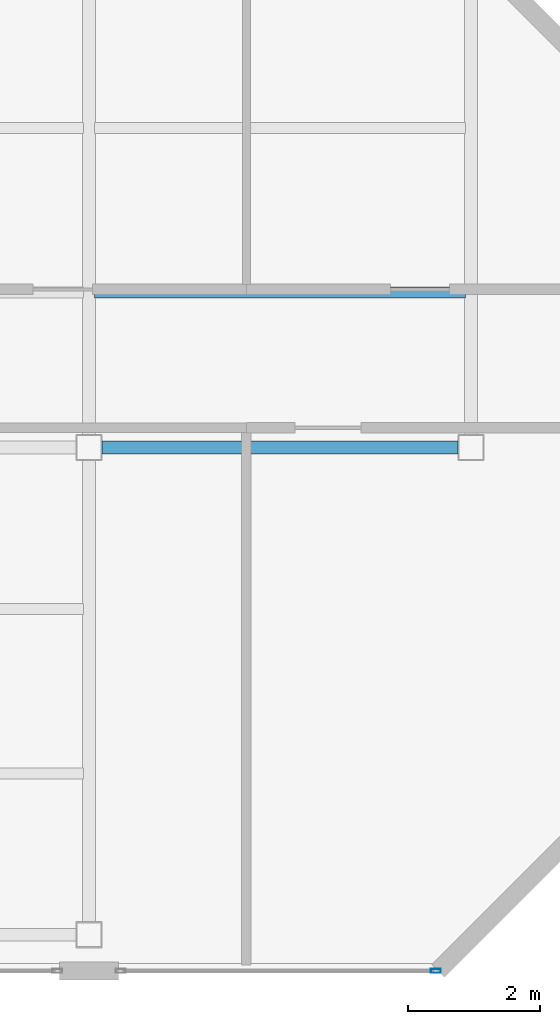
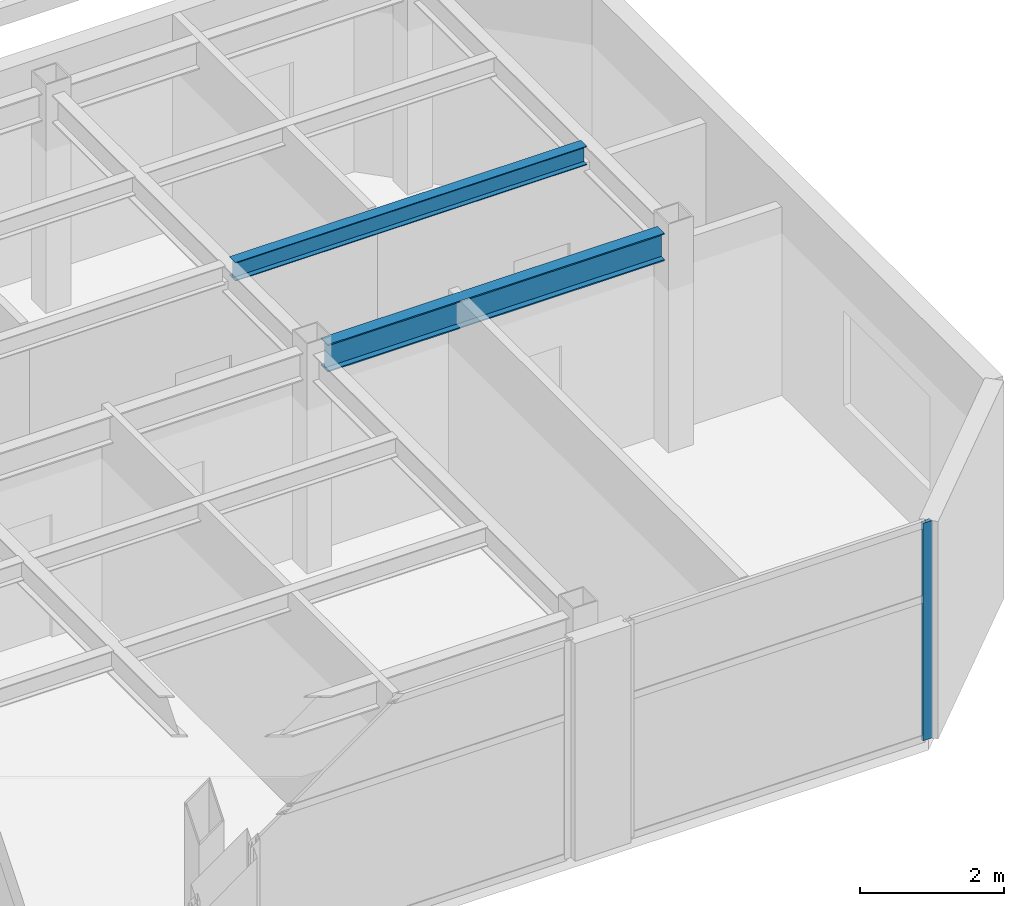
# One storey, part 7 of 14: 2 beams, 1 member, 1 element without a shape of its own.
"""IFC4 building model written with IfcOpenShell, lengths in metres."""

from ifc_helpers import new_model, si_unit, direction, frame, origin, origin_2d, place, context, subcontext, project, spatial, hollow_rectangle, i_section, extrude, material, layer, layer_set, material_profile, profile_set, type_object, element, aggregate, save


model = new_model("IFC4")

# Units and contexts
model_context = context("Model", 3, precision=1e-05, world=origin(), true_north=direction((0.0, 1.0)))
body_context = subcontext(model_context, "Body", "Model", "MODEL_VIEW")
ifc_project = project(units=[si_unit("LENGTHUNIT", "METRE"), si_unit("AREAUNIT", "SQUARE_METRE"), si_unit("VOLUMEUNIT", "CUBIC_METRE"), si_unit("PLANEANGLEUNIT", "RADIAN"), si_unit("MASSUNIT", "GRAM", prefix="KILO")], contexts=[model_context])

# Site, building, storey
site_placement = place(None, origin())
site = spatial("IfcSite", under=ifc_project, at=site_placement, CompositionType="ELEMENT")
building_placement = place(site_placement, origin())
building = spatial("IfcBuilding", under=site, at=building_placement, Name="Mawjaban Terraces University", CompositionType="ELEMENT")
storey_placement = place(building_placement, frame((0.0, 0.0, 256.0)))
storey = spatial("IfcBuildingStorey", under=building, at=storey_placement, Name="L62", CompositionType="ELEMENT", Elevation=256.0)

# Beams
ifc_material_1 = material(Name="Steel ASTM A572 Grade 50", Category="steel")
ifc_material_profile_1 = material_profile(ifc_material_1, i_section(OverallWidth=0.194091796875, OverallDepth=0.468994140625, WebThickness=0.011474609375, FlangeThickness=0.0205078125, at=origin_2d()), Name="W460X106")
ifc_profile_set_1 = profile_set([ifc_material_profile_1], Name="Steel ASTM A572 Grade 50")
beam_type_1 = type_object("IfcBeamType", Name="Beam_B_W460X106", PredefinedType="BEAM", material=ifc_profile_set_1)
beam_1_placement = place(storey_placement, frame((52.199951171875, 7.949951171875, 3.455078125), z_axis=(1.0, 0.0, 0.0), x_axis=(0.0, 1.0, 0.0)))
element("IfcBeam", 1, at=beam_1_placement, inside=storey, type_object=beam_type_1, Name="L62 Beam BM-L62-EW-05", PredefinedType="BEAM", context=body_context, shape_type="SweptSolid", body=[
    extrude(i_section(OverallWidth=0.194091796875, OverallDepth=0.468994140625, WebThickness=0.011474609375, FlangeThickness=0.0205078125, at=origin_2d()), origin(), (0.0, 0.0, 1.0), 5.400146484375),
])
ifc_material_profile_2 = material_profile(ifc_material_1, i_section(OverallWidth=0.1669921875, OverallDepth=0.318115234375, WebThickness=0.007568359375, FlangeThickness=0.01318359375, at=origin_2d()), Name="W310X52")
ifc_profile_set_2 = profile_set([ifc_material_profile_2], Name="Steel ASTM A572 Grade 50")
beam_type_2 = type_object("IfcBeamType", Name="Beam_J_W310X52", PredefinedType="JOIST", material=ifc_profile_set_2)
beam_2_placement = place(storey_placement, frame((52.080078125, 10.300048828125, 3.531005859375), z_axis=(1.0, 0.0, 0.0), x_axis=(0.0, 1.0, 0.0)))
element("IfcBeam", 2, at=beam_2_placement, inside=storey, type_object=beam_type_2, Name="L62 Composite Joist JST-L62-07", PredefinedType="JOIST", context=body_context, shape_type="SweptSolid", body=[
    extrude(i_section(OverallWidth=0.1669921875, OverallDepth=0.318115234375, WebThickness=0.007568359375, FlangeThickness=0.01318359375, at=origin_2d()), origin(), (0.0, 0.0, 1.0), 5.639892578125),
])

# Curtain wall, member
ifc_material_2 = material(Name="Anodised aluminium 6063-T6 and solar-control low-E glass", Category="aluminium")
ifc_layer = layer(ifc_material_2, 0.159912109375)
ifc_layer_set = layer_set([ifc_layer], Name="Anodised aluminium 6063-T6 and solar-control low-E glass")
curtain_wall_type = type_object("IfcCurtainWallType", Name="CWSystem_03_NorthWing", PredefinedType="NOTDEFINED", material=ifc_layer_set)
curtain_wall_placement = place(storey_placement, origin())
curtain_wall = element("IfcCurtainWall", 3, at=curtain_wall_placement, inside=storey, type_object=curtain_wall_type, Name="L62 Curtain Wall CW-03 Run 1.5", PredefinedType="NOTDEFINED")
ifc_material_3 = material(Name="Anodised aluminium 6063-T6", Category="aluminium")
ifc_material_profile_3 = material_profile(ifc_material_3, hollow_rectangle(XDim=0.06005859375, YDim=0.14990234375, WallThickness=0.00390625, at=origin_2d()), Name="ALU150X60X4")
ifc_profile_set_3 = profile_set([ifc_material_profile_3], Name="Anodised aluminium 6063-T6")
member_type = type_object("IfcMemberType", Name="Mullion_CW-03", PredefinedType="MULLION", material=ifc_profile_set_3)
member_placement = place(storey_placement, frame((57.267578125, 0.0, 0.0), z_axis=(0.0, 0.0, 1.0), x_axis=(0.0, 1.0, 0.0)))
member = element("IfcMember", 4, at=member_placement, type_object=member_type, Name="CW-03 mullion 2", PredefinedType="MULLION", context=body_context, shape_type="SweptSolid", body=[
    extrude(hollow_rectangle(XDim=0.06005859375, YDim=0.14990234375, WallThickness=0.00390625, at=origin_2d()), origin(), (0.0, 0.0, 1.0), 3.68994140625),
])
aggregate(curtain_wall, [member])

save(model, "model.ifc")
